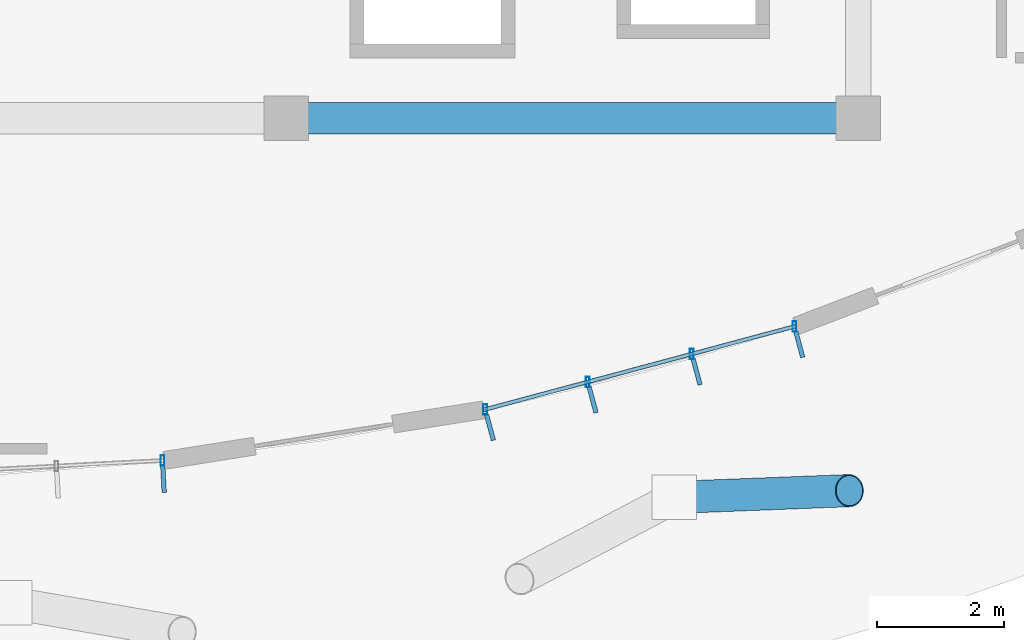
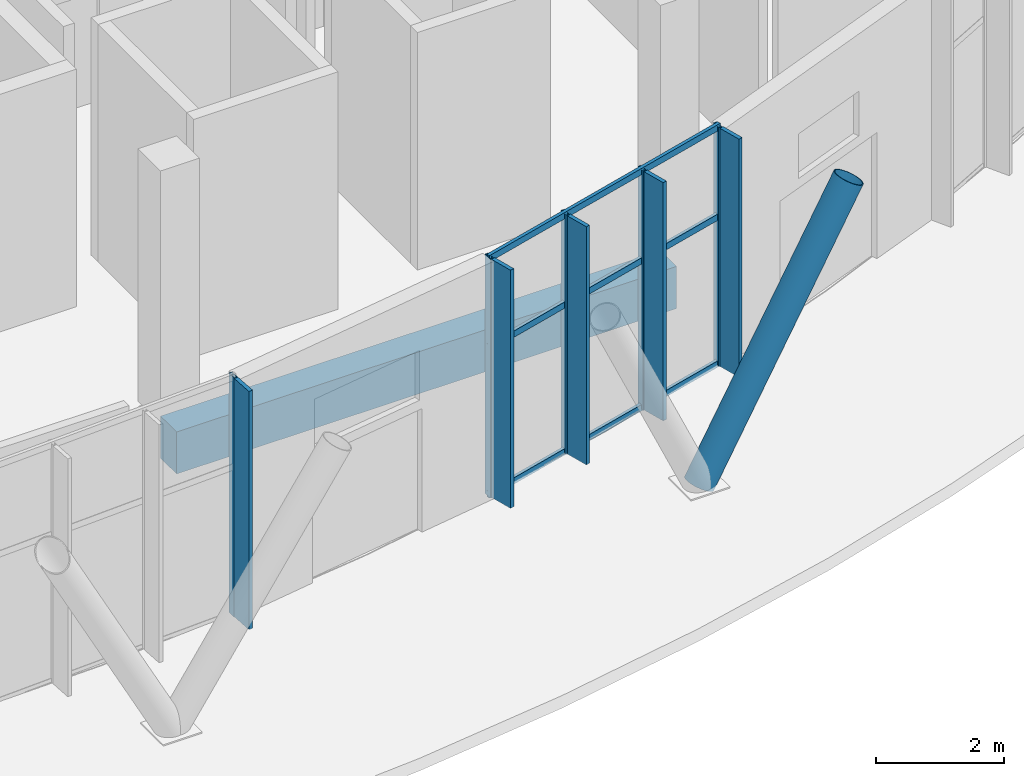
# One storey, part 68 of 151: 14 members, 1 beam, 2 elements without a shape of their own.
"""IFC4 building model written with IfcOpenShell, lengths in metres."""

from ifc_helpers import new_model, si_unit, direction, frame, origin, origin_2d, place, context, subcontext, project, spatial, rectangle, hollow_rectangle, hollow_circle, extrude, material, material_profile, profile_set, type_object, element, aggregate, save


model = new_model("IFC4")

# Units and contexts
model_context = context("Model", 3, precision=1e-05, world=origin(), true_north=direction((0.0, 1.0)))
body_context = subcontext(model_context, "Body", "Model", "MODEL_VIEW")
ifc_project = project(units=[si_unit("LENGTHUNIT", "METRE"), si_unit("AREAUNIT", "SQUARE_METRE"), si_unit("VOLUMEUNIT", "CUBIC_METRE"), si_unit("PLANEANGLEUNIT", "RADIAN"), si_unit("MASSUNIT", "GRAM", prefix="KILO")], contexts=[model_context])

# Site, building, storey
site_placement = place(None, origin())
site = spatial("IfcSite", under=ifc_project, at=site_placement, CompositionType="ELEMENT")
building_placement = place(site_placement, origin())
building = spatial("IfcBuilding", under=site, at=building_placement, Name="Chiffa Square Polytechnic", CompositionType="ELEMENT")
storey_placement = place(building_placement, origin())
storey = spatial("IfcBuildingStorey", under=building, at=storey_placement, Name="L00", CompositionType="ELEMENT", Elevation=0.0)

# Beam
ifc_material_1 = material(Name="Concrete C40/50", Category="concrete")
ifc_material_profile_1 = material_profile(ifc_material_1, rectangle(XDim=0.5, YDim=0.800048828125, at=origin_2d()), Name="RC 500x800")
ifc_profile_set_1 = profile_set([ifc_material_profile_1], Name="Concrete C40/50")
beam_type = type_object("IfcBeamType", Name="BM-RC-500X800", PredefinedType="BEAM", material=ifc_profile_set_1)
beam_placement = place(storey_placement, frame((130.199951171875, 14.39990234375, -0.75), z_axis=(1.0, 0.0, 0.0), x_axis=(0.0, 1.0, 0.0)))
element("IfcBeam", 1, at=beam_placement, inside=storey, type_object=beam_type, Name="Primary floor girder BM-V1-L00-X-1302-0144", PredefinedType="BEAM", context=body_context, shape_type="SweptSolid", body=[
    extrude(rectangle(XDim=0.5, YDim=0.800048828125, at=origin_2d()), origin(), (0.0, 0.0, 1.0), 9.0),
])

# Member
ifc_material_2 = material(Name="Steel S355", Category="steel")
ifc_material_profile_2 = material_profile(ifc_material_2, hollow_circle(Radius=0.25390625, WallThickness=0.01611328125, at=origin_2d()), Name="CHS 508x16")
ifc_profile_set_2 = profile_set([ifc_material_profile_2], Name="Steel S355")
member_type_1 = type_object("IfcMemberType", Name="COL-VSTRUT-508", PredefinedType="STRUT", material=ifc_profile_set_2)
member_1_placement = place(storey_placement, frame((136.306884765625, 8.43408203125, 0.0), z_axis=(0.49731427111, 0.01932259831, 0.867355263398), x_axis=(-0.038824604442, 0.999246040818, 0.0)))
element("IfcMember", 2, at=member_1_placement, inside=storey, type_object=member_type_1, Name="Prow steel V-strut CV-V1-L00-03R", PredefinedType="STRUT", context=body_context, shape_type="SweptSolid", body=[
    extrude(hollow_circle(Radius=0.25390625, WallThickness=0.01611328125, at=origin_2d()), origin(), (0.0, 0.0, 1.0), 5.5341796875),
])

# Curtain wall, member
ifc_material_3 = material(Name="Aluminium EN AW-6060 T66 and glulam shading", Category="wood")
curtain_wall_type_1 = type_object("IfcCurtainWallType", Name="CW-VERT-450X380", PredefinedType="USERDEFINED", material=ifc_material_3)
curtain_wall_1_placement = place(storey_placement, origin())
curtain_wall_1 = element("IfcCurtainWall", 3, at=curtain_wall_1_placement, inside=storey, type_object=curtain_wall_type_1, Name="Curtain wall CW-V1-L00-002", ObjectType="CURTAIN WALL", PredefinedType="USERDEFINED")
ifc_material_4 = material(Name="Aluminium EN AW-6060 T66", Category="aluminium")
ifc_material_profile_3 = material_profile(ifc_material_4, hollow_rectangle(XDim=0.06005859375, YDim=0.159912109375, WallThickness=0.00390625, at=origin_2d()), Name="ALU 60x160x4")
ifc_profile_set_3 = profile_set([ifc_material_profile_3], Name="Aluminium EN AW-6060 T66")
member_type_2 = type_object("IfcMemberType", Name="CWM-ALU-65X150", PredefinedType="MULLION", material=ifc_profile_set_3)
member_2_placement = place(storey_placement, frame((128.2548828125, 9.014892578125, -0.02001953125), z_axis=(0.0, 0.0, 1.0), x_axis=(1.0, 0.0, 0.0)))
member_2 = element("IfcMember", 4, at=member_2_placement, type_object=member_type_2, Name="Curtain wall mullion CW-V1-L00-002-M03", PredefinedType="MULLION", context=body_context, shape_type="SweptSolid", body=[
    extrude(hollow_rectangle(XDim=0.06005859375, YDim=0.159912109375, WallThickness=0.00390625, at=origin_2d()), origin(), (0.0, 0.0, 1.0), 4.554931640625),
])

# Curtain wall, members
curtain_wall_type_2 = type_object("IfcCurtainWallType", Name="CW-VERT-300X380", PredefinedType="USERDEFINED", material=ifc_material_3)
curtain_wall_2_placement = place(storey_placement, origin())
curtain_wall_2 = element("IfcCurtainWall", 5, at=curtain_wall_2_placement, inside=storey, type_object=curtain_wall_type_2, Name="Curtain wall CW-V1-L00-003", ObjectType="CURTAIN WALL", PredefinedType="USERDEFINED")
member_3_placement = place(storey_placement, frame((133.3291015625, 9.818115234375, -0.02001953125), z_axis=(0.0, 0.0, 1.0), x_axis=(1.0, 0.0, 0.0)))
member_3 = element("IfcMember", 6, at=member_3_placement, type_object=member_type_2, Name="Curtain wall mullion CW-V1-L00-003-M00", PredefinedType="MULLION", context=body_context, shape_type="SweptSolid", body=[
    extrude(hollow_rectangle(XDim=0.06005859375, YDim=0.159912109375, WallThickness=0.00390625, at=origin_2d()), origin(), (0.0, 0.0, 1.0), 4.554931640625),
])
member_4_placement = place(storey_placement, frame((134.943115234375, 10.2509765625, -0.02001953125), z_axis=(0.0, 0.0, 1.0), x_axis=(1.0, 0.0, 0.0)))
member_4 = element("IfcMember", 7, at=member_4_placement, type_object=member_type_2, Name="Curtain wall mullion CW-V1-L00-003-M01", PredefinedType="MULLION", context=body_context, shape_type="SweptSolid", body=[
    extrude(hollow_rectangle(XDim=0.06005859375, YDim=0.159912109375, WallThickness=0.00390625, at=origin_2d()), origin(), (0.0, 0.0, 1.0), 4.554931640625),
])
member_5_placement = place(storey_placement, frame((136.580078125, 10.68994140625, -0.02001953125), z_axis=(0.0, 0.0, 1.0), x_axis=(1.0, 0.0, 0.0)))
member_5 = element("IfcMember", 8, at=member_5_placement, type_object=member_type_2, Name="Curtain wall mullion CW-V1-L00-003-M02", PredefinedType="MULLION", context=body_context, shape_type="SweptSolid", body=[
    extrude(hollow_rectangle(XDim=0.06005859375, YDim=0.159912109375, WallThickness=0.00390625, at=origin_2d()), origin(), (0.0, 0.0, 1.0), 4.554931640625),
])
member_6_placement = place(storey_placement, frame((138.194091796875, 11.123046875, -0.02001953125), z_axis=(0.0, 0.0, 1.0), x_axis=(1.0, 0.0, 0.0)))
member_6 = element("IfcMember", 9, at=member_6_placement, type_object=member_type_2, Name="Curtain wall mullion CW-V1-L00-003-M03", PredefinedType="MULLION", context=body_context, shape_type="SweptSolid", body=[
    extrude(hollow_rectangle(XDim=0.06005859375, YDim=0.159912109375, WallThickness=0.00390625, at=origin_2d()), origin(), (0.0, 0.0, 1.0), 4.554931640625),
])

# Member
ifc_material_5 = material(Name="Glulam GL28h", Category="wood")
ifc_material_profile_4 = material_profile(ifc_material_5, rectangle(XDim=0.070068359375, YDim=0.419921875, at=origin_2d()), Name="GL28h 70x420")
ifc_profile_set_4 = profile_set([ifc_material_profile_4], Name="Glulam GL28h")
member_type_3 = type_object("IfcMemberType", Name="CWM-GL-70X420", PredefinedType="MULLION", material=ifc_profile_set_4)
member_7_placement = place(storey_placement, frame((128.27001953125, 8.722900390625, -0.010009765625), z_axis=(0.0, 0.0, 1.0), x_axis=(0.99863227369, 0.052283668051, 0.0)))
member_7 = element("IfcMember", 10, at=member_7_placement, type_object=member_type_3, Name="Exterior glulam solar fin CW-V1-L00-002-FN03", PredefinedType="MULLION", context=body_context, shape_type="SweptSolid", body=[
    extrude(rectangle(XDim=0.070068359375, YDim=0.419921875, at=origin_2d()), origin(), (0.0, 0.0, 1.0), 4.534912109375),
])

aggregate(curtain_wall_1, [member_2, member_7])

member_8_placement = place(storey_placement, frame((133.405029296875, 9.535888671875, -0.010009765625), z_axis=(0.0, 0.0, 1.0), x_axis=(0.965898717526, 0.258920195199, 0.0)))
member_8 = element("IfcMember", 11, at=member_8_placement, type_object=member_type_3, Name="Exterior glulam solar fin CW-V1-L00-003-FN00", PredefinedType="MULLION", context=body_context, shape_type="SweptSolid", body=[
    extrude(rectangle(XDim=0.070068359375, YDim=0.419921875, at=origin_2d()), origin(), (0.0, 0.0, 1.0), 4.534912109375),
])

member_9_placement = place(storey_placement, frame((135.01904296875, 9.968994140625, -0.010009765625), z_axis=(0.0, 0.0, 1.0), x_axis=(0.965898717526, 0.258920195199, 0.0)))
member_9 = element("IfcMember", 12, at=member_9_placement, type_object=member_type_3, Name="Exterior glulam solar fin CW-V1-L00-003-FN01", PredefinedType="MULLION", context=body_context, shape_type="SweptSolid", body=[
    extrude(rectangle(XDim=0.070068359375, YDim=0.419921875, at=origin_2d()), origin(), (0.0, 0.0, 1.0), 4.534912109375),
])

member_10_placement = place(storey_placement, frame((136.656005859375, 10.407958984375, -0.010009765625), z_axis=(0.0, 0.0, 1.0), x_axis=(0.965898717526, 0.258920195199, 0.0)))
member_10 = element("IfcMember", 13, at=member_10_placement, type_object=member_type_3, Name="Exterior glulam solar fin CW-V1-L00-003-FN02", PredefinedType="MULLION", context=body_context, shape_type="SweptSolid", body=[
    extrude(rectangle(XDim=0.070068359375, YDim=0.419921875, at=origin_2d()), origin(), (0.0, 0.0, 1.0), 4.534912109375),
])

member_11_placement = place(storey_placement, frame((138.27001953125, 10.841064453125, -0.010009765625), z_axis=(0.0, 0.0, 1.0), x_axis=(0.965898717526, 0.258920195199, 0.0)))
member_11 = element("IfcMember", 14, at=member_11_placement, type_object=member_type_3, Name="Exterior glulam solar fin CW-V1-L00-003-FN03", PredefinedType="MULLION", context=body_context, shape_type="SweptSolid", body=[
    extrude(rectangle(XDim=0.070068359375, YDim=0.419921875, at=origin_2d()), origin(), (0.0, 0.0, 1.0), 4.534912109375),
])

ifc_material_profile_5 = material_profile(ifc_material_4, hollow_rectangle(XDim=0.06005859375, YDim=0.1201171875, WallThickness=0.00390625, at=origin_2d()), Name="ALU 60x120x4")
ifc_profile_set_5 = profile_set([ifc_material_profile_5], Name="Aluminium EN AW-6060 T66")
member_type_4 = type_object("IfcMemberType", Name="CWT-ALU-65X120", PredefinedType="USERDEFINED", material=ifc_profile_set_5)
member_12_placement = place(storey_placement, frame((133.302978515625, 9.81103515625, 0.010009765625), z_axis=(0.96585981449, 0.259065278941, 0.0), x_axis=(-0.259065278941, 0.96585981449, 0.0)))
member_12 = element("IfcMember", 15, at=member_12_placement, type_object=member_type_4, Name="Curtain wall transom CW-V1-L00-003-T01", ObjectType="TRANSOM", PredefinedType="USERDEFINED", context=body_context, shape_type="SweptSolid", body=[
    extrude(hollow_rectangle(XDim=0.06005859375, YDim=0.1201171875, WallThickness=0.00390625, at=origin_2d()), origin(), (0.0, 0.0, 1.0), 5.0908203125),
])

member_13_placement = place(storey_placement, frame((133.302978515625, 9.81103515625, 2.803955078125), z_axis=(0.96585981449, 0.259065278941, 0.0), x_axis=(-0.259065278941, 0.96585981449, 0.0)))
member_13 = element("IfcMember", 16, at=member_13_placement, type_object=member_type_4, Name="Curtain wall transom CW-V1-L00-003-T02", ObjectType="TRANSOM", PredefinedType="USERDEFINED", context=body_context, shape_type="SweptSolid", body=[
    extrude(hollow_rectangle(XDim=0.06005859375, YDim=0.1201171875, WallThickness=0.00390625, at=origin_2d()), origin(), (0.0, 0.0, 1.0), 5.0908203125),
])

member_14_placement = place(storey_placement, frame((133.302978515625, 9.81103515625, 4.5048828125), z_axis=(0.96585981449, 0.259065278941, 0.0), x_axis=(-0.259065278941, 0.96585981449, 0.0)))
member_14 = element("IfcMember", 17, at=member_14_placement, type_object=member_type_4, Name="Curtain wall transom CW-V1-L00-003-T03", ObjectType="TRANSOM", PredefinedType="USERDEFINED", context=body_context, shape_type="SweptSolid", body=[
    extrude(hollow_rectangle(XDim=0.06005859375, YDim=0.1201171875, WallThickness=0.00390625, at=origin_2d()), origin(), (0.0, 0.0, 1.0), 5.0908203125),
])

aggregate(curtain_wall_2, [member_3, member_8, member_4, member_9, member_5, member_10, member_6, member_11, member_12, member_13, member_14])

save(model, "model.ifc")
